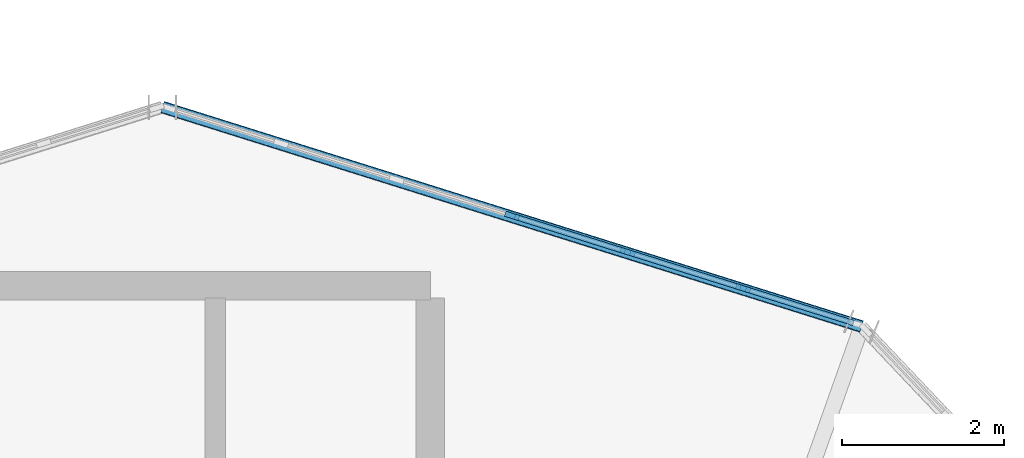
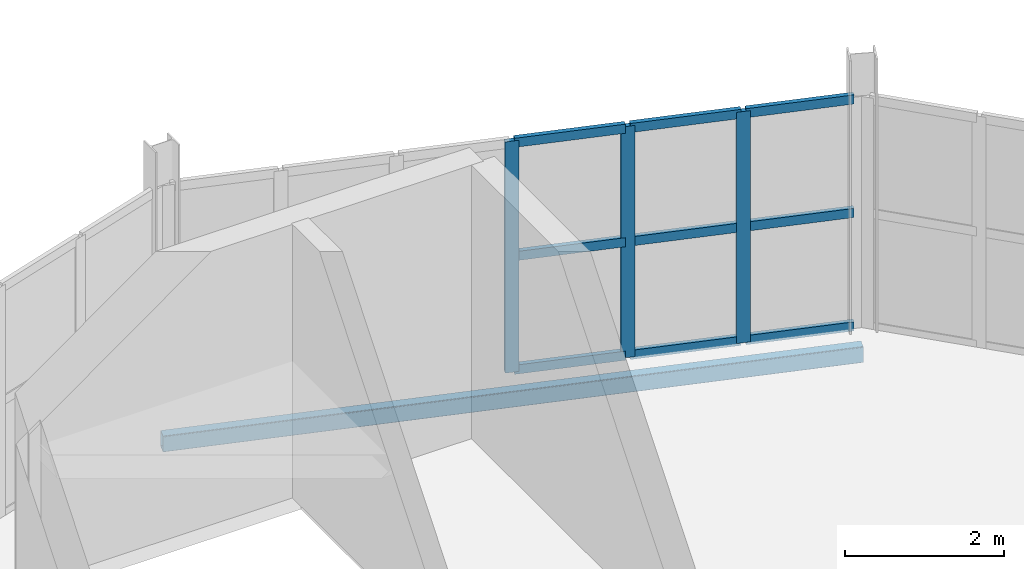
# One storey, part 105 of 161: 12 members, 1 beam, 1 element without a shape of its own.
"""IFC4 building model written with IfcOpenShell, lengths in metres."""

from ifc_helpers import new_model, si_unit, direction, frame, origin, origin_2d, place, context, subcontext, project, spatial, rectangle, hollow_rectangle, extrude, material, material_profile, profile_set, type_object, element, aggregate, save


model = new_model("IFC4")

# Units and contexts
model_context = context("Model", 3, precision=1e-05, world=origin(), true_north=direction((0.0, 1.0)))
body_context = subcontext(model_context, "Body", "Model", "MODEL_VIEW")
ifc_project = project(units=[si_unit("LENGTHUNIT", "METRE"), si_unit("AREAUNIT", "SQUARE_METRE"), si_unit("VOLUMEUNIT", "CUBIC_METRE"), si_unit("PLANEANGLEUNIT", "RADIAN"), si_unit("MASSUNIT", "GRAM", prefix="KILO")], contexts=[model_context])

# Site, building, storey
site_placement = place(None, origin())
site = spatial("IfcSite", under=ifc_project, at=site_placement, CompositionType="ELEMENT")
building_placement = place(site_placement, origin())
building = spatial("IfcBuilding", under=site, at=building_placement, Name="Kildeholm Park Wholesale Market", CompositionType="ELEMENT")
storey_placement = place(building_placement, frame((0.0, 0.0, 5.39990234375)))
storey = spatial("IfcBuildingStorey", under=building, at=storey_placement, Name="L01", CompositionType="ELEMENT", Elevation=5.39990234375)

# Beam
ifc_material_1 = material(Name="Steel S355", Category="steel")
ifc_material_profile_1 = material_profile(ifc_material_1, hollow_rectangle(XDim=0.14990234375, YDim=0.25, WallThickness=0.010009765625, InnerFilletRadius=0.010009765625, OuterFilletRadius=0.02001953125, at=origin_2d()), Name="RHS 250x150x10")
ifc_profile_set_1 = profile_set([ifc_material_profile_1], Name="Steel S355")
beam_type = type_object("IfcBeamType", Name="Beam SP-02 RHS 250x150x10", PredefinedType="SPANDREL", material=ifc_profile_set_1)
beam_placement = place(storey_placement, frame((196.610107421875, 127.298095703125, -0.385009765625), z_axis=(-0.954124515816, 0.299410100562, 0.0), x_axis=(-0.299410100562, -0.954124515816, 0.0)))
element("IfcBeam", 1, at=beam_placement, inside=storey, type_object=beam_type, Name="Beam BM-V2-L01-CO-03 BM-0387", PredefinedType="SPANDREL", context=body_context, shape_type="SweptSolid", body=[
    extrude(hollow_rectangle(XDim=0.14990234375, YDim=0.25, WallThickness=0.010009765625, InnerFilletRadius=0.010009765625, OuterFilletRadius=0.02001953125, at=origin_2d()), origin(), (0.0, 0.0, 1.0), 9.024169921875),
])

# Curtain wall, members
ifc_material_2 = material(Name="Anodised aluminium and low-E double-glazed glass", Category="aluminium")
curtain_wall_type = type_object("IfcCurtainWallType", Name="Market hall glazed arcade stick curtain wall CW-01", PredefinedType="NOTDEFINED", material=ifc_material_2)
curtain_wall_placement = place(storey_placement, origin())
curtain_wall = element("IfcCurtainWall", 2, at=curtain_wall_placement, inside=storey, type_object=curtain_wall_type, Name="Curtain wall CW-V2-L01-03 CW-0122", PredefinedType="NOTDEFINED")
ifc_material_3 = material(Name="Anodised aluminium", Category="aluminium")
ifc_material_profile_2 = material_profile(ifc_material_3, rectangle(XDim=0.06494140625, YDim=0.179931640625, at=origin_2d()), Name="CWM 65x180")
ifc_profile_set_2 = profile_set([ifc_material_profile_2], Name="Anodised aluminium")
member_type_1 = type_object("IfcMemberType", Name="Curtain-wall mullion CWM-1 CWM 65x180", PredefinedType="MULLION", material=ifc_profile_set_2)
member_1_placement = place(storey_placement, frame((195.151611328125, 127.767578125, 0.0), z_axis=(0.0, 0.0, 1.0), x_axis=(-0.29947776095, -0.954103280938, 0.0)))
member_1 = element("IfcMember", 3, at=member_1_placement, type_object=member_type_1, Name="CW-01 mullion 2 MEM-3748", PredefinedType="MULLION", context=body_context, shape_type="SweptSolid", body=[
    extrude(rectangle(XDim=0.06494140625, YDim=0.179931640625, at=origin_2d()), origin(), (0.0, 0.0, 1.0), 3.550048828125),
])
member_2_placement = place(storey_placement, frame((193.72900390625, 128.214111328125, 0.0), z_axis=(0.0, 0.0, 1.0), x_axis=(-0.29947776095, -0.954103280938, 0.0)))
member_2 = element("IfcMember", 4, at=member_2_placement, type_object=member_type_1, Name="CW-01 mullion 3 MEM-3749", PredefinedType="MULLION", context=body_context, shape_type="SweptSolid", body=[
    extrude(rectangle(XDim=0.06494140625, YDim=0.179931640625, at=origin_2d()), origin(), (0.0, 0.0, 1.0), 3.550048828125),
])
member_3_placement = place(storey_placement, frame((192.306396484375, 128.660400390625, 0.0), z_axis=(0.0, 0.0, 1.0), x_axis=(-0.29947776095, -0.954103280938, 0.0)))
member_3 = element("IfcMember", 5, at=member_3_placement, type_object=member_type_1, Name="CW-01 mullion 4 MEM-3750", PredefinedType="MULLION", context=body_context, shape_type="SweptSolid", body=[
    extrude(rectangle(XDim=0.06494140625, YDim=0.179931640625, at=origin_2d()), origin(), (0.0, 0.0, 1.0), 3.550048828125),
])
ifc_material_profile_3 = material_profile(ifc_material_3, rectangle(XDim=0.06494140625, YDim=0.139892578125, at=origin_2d()), Name="CWT 65x140")
ifc_profile_set_3 = profile_set([ifc_material_profile_3], Name="Anodised aluminium")
member_type_2 = type_object("IfcMemberType", Name="Curtain-wall transom CWT-1 CWT 65x140", PredefinedType="USERDEFINED", material=ifc_profile_set_3)
member_4_placement = place(storey_placement, frame((196.511962890625, 127.340576171875, 0.03271484375), z_axis=(-0.954108208412, 0.299462062108, 0.0), x_axis=(-0.299462062108, -0.954108208412, 0.0)))
member_4 = element("IfcMember", 6, at=member_4_placement, type_object=member_type_2, Name="CW-01 transom 1.1 MEM-3754", ObjectType="TRANSOM", PredefinedType="USERDEFINED", context=body_context, shape_type="SweptSolid", body=[
    extrude(rectangle(XDim=0.06494140625, YDim=0.139892578125, at=origin_2d()), origin(), (0.0, 0.0, 1.0), 1.393310546875),
])
member_5_placement = place(storey_placement, frame((196.511962890625, 127.340576171875, 1.775146484375), z_axis=(-0.954108208412, 0.299462062108, 0.0), x_axis=(-0.299462062108, -0.954108208412, 0.0)))
member_5 = element("IfcMember", 7, at=member_5_placement, type_object=member_type_2, Name="CW-01 transom 1.2 MEM-3755", ObjectType="TRANSOM", PredefinedType="USERDEFINED", context=body_context, shape_type="SweptSolid", body=[
    extrude(rectangle(XDim=0.06494140625, YDim=0.139892578125, at=origin_2d()), origin(), (0.0, 0.0, 1.0), 1.393310546875),
])
member_6_placement = place(storey_placement, frame((196.511962890625, 127.340576171875, 3.517578125), z_axis=(-0.954108208412, 0.299462062108, 0.0), x_axis=(-0.299462062108, -0.954108208412, 0.0)))
member_6 = element("IfcMember", 8, at=member_6_placement, type_object=member_type_2, Name="CW-01 transom 1.3 MEM-3756", ObjectType="TRANSOM", PredefinedType="USERDEFINED", context=body_context, shape_type="SweptSolid", body=[
    extrude(rectangle(XDim=0.06494140625, YDim=0.139892578125, at=origin_2d()), origin(), (0.0, 0.0, 1.0), 1.393310546875),
])
member_7_placement = place(storey_placement, frame((195.12060546875, 127.77734375, 0.03271484375), z_axis=(-0.954116760481, 0.299434813221, 0.0), x_axis=(-0.299434813221, -0.954116760481, 0.0)))
member_7 = element("IfcMember", 9, at=member_7_placement, type_object=member_type_2, Name="CW-01 transom 2.1 MEM-3757", ObjectType="TRANSOM", PredefinedType="USERDEFINED", context=body_context, shape_type="SweptSolid", body=[
    extrude(rectangle(XDim=0.06494140625, YDim=0.139892578125, at=origin_2d()), origin(), (0.0, 0.0, 1.0), 1.426025390625),
])
member_8_placement = place(storey_placement, frame((195.12060546875, 127.77734375, 1.775146484375), z_axis=(-0.954116760481, 0.299434813221, 0.0), x_axis=(-0.299434813221, -0.954116760481, 0.0)))
member_8 = element("IfcMember", 10, at=member_8_placement, type_object=member_type_2, Name="CW-01 transom 2.2 MEM-3758", ObjectType="TRANSOM", PredefinedType="USERDEFINED", context=body_context, shape_type="SweptSolid", body=[
    extrude(rectangle(XDim=0.06494140625, YDim=0.139892578125, at=origin_2d()), origin(), (0.0, 0.0, 1.0), 1.426025390625),
])
member_9_placement = place(storey_placement, frame((195.12060546875, 127.77734375, 3.517578125), z_axis=(-0.954116760481, 0.299434813221, 0.0), x_axis=(-0.299434813221, -0.954116760481, 0.0)))
member_9 = element("IfcMember", 11, at=member_9_placement, type_object=member_type_2, Name="CW-01 transom 2.3 MEM-3759", ObjectType="TRANSOM", PredefinedType="USERDEFINED", context=body_context, shape_type="SweptSolid", body=[
    extrude(rectangle(XDim=0.06494140625, YDim=0.139892578125, at=origin_2d()), origin(), (0.0, 0.0, 1.0), 1.426025390625),
])
member_10_placement = place(storey_placement, frame((193.697998046875, 128.2236328125, 0.03271484375), z_axis=(-0.954067838163, 0.299590654367, 0.0), x_axis=(-0.299590654367, -0.954067838163, 0.0)))
member_10 = element("IfcMember", 12, at=member_10_placement, type_object=member_type_2, Name="CW-01 transom 3.1 MEM-3760", ObjectType="TRANSOM", PredefinedType="USERDEFINED", context=body_context, shape_type="SweptSolid", body=[
    extrude(rectangle(XDim=0.06494140625, YDim=0.139892578125, at=origin_2d()), origin(), (0.0, 0.0, 1.0), 1.426025390625),
])
member_11_placement = place(storey_placement, frame((193.697998046875, 128.2236328125, 1.775146484375), z_axis=(-0.954067838163, 0.299590654367, 0.0), x_axis=(-0.299590654367, -0.954067838163, 0.0)))
member_11 = element("IfcMember", 13, at=member_11_placement, type_object=member_type_2, Name="CW-01 transom 3.2 MEM-3761", ObjectType="TRANSOM", PredefinedType="USERDEFINED", context=body_context, shape_type="SweptSolid", body=[
    extrude(rectangle(XDim=0.06494140625, YDim=0.139892578125, at=origin_2d()), origin(), (0.0, 0.0, 1.0), 1.426025390625),
])
member_12_placement = place(storey_placement, frame((193.697998046875, 128.2236328125, 3.517578125), z_axis=(-0.954067838163, 0.299590654367, 0.0), x_axis=(-0.299590654367, -0.954067838163, 0.0)))
member_12 = element("IfcMember", 14, at=member_12_placement, type_object=member_type_2, Name="CW-01 transom 3.3 MEM-3762", ObjectType="TRANSOM", PredefinedType="USERDEFINED", context=body_context, shape_type="SweptSolid", body=[
    extrude(rectangle(XDim=0.06494140625, YDim=0.139892578125, at=origin_2d()), origin(), (0.0, 0.0, 1.0), 1.426025390625),
])
aggregate(curtain_wall, [member_1, member_2, member_3, member_4, member_5, member_6, member_7, member_8, member_9, member_10, member_11, member_12])

save(model, "model.ifc")
